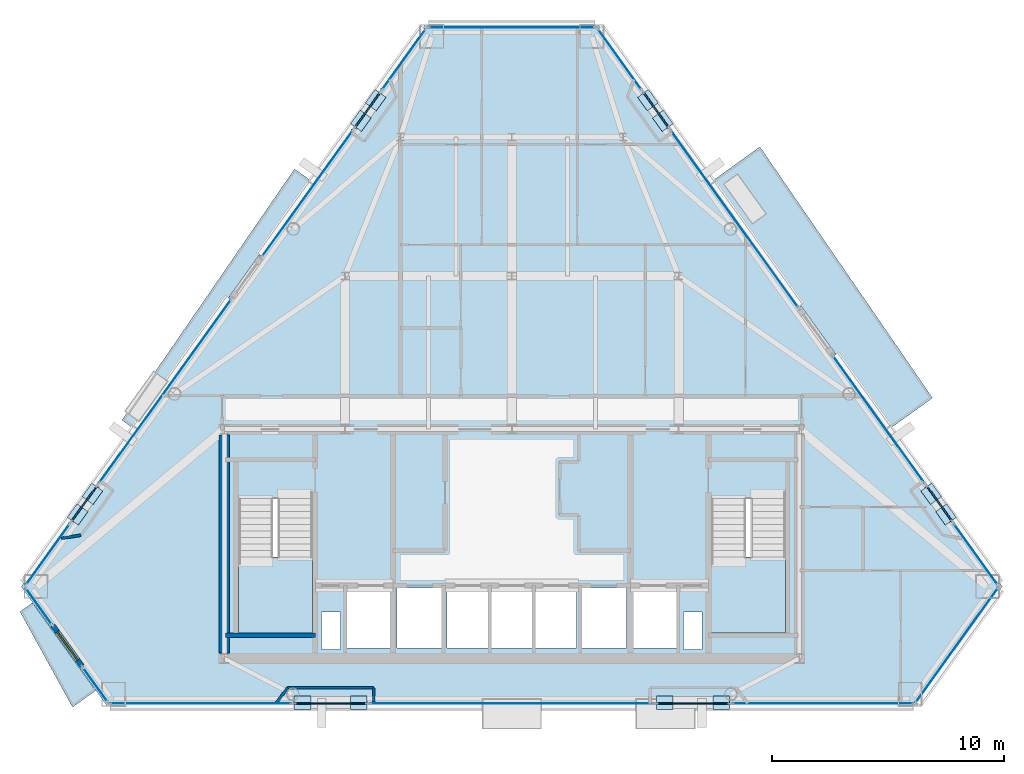
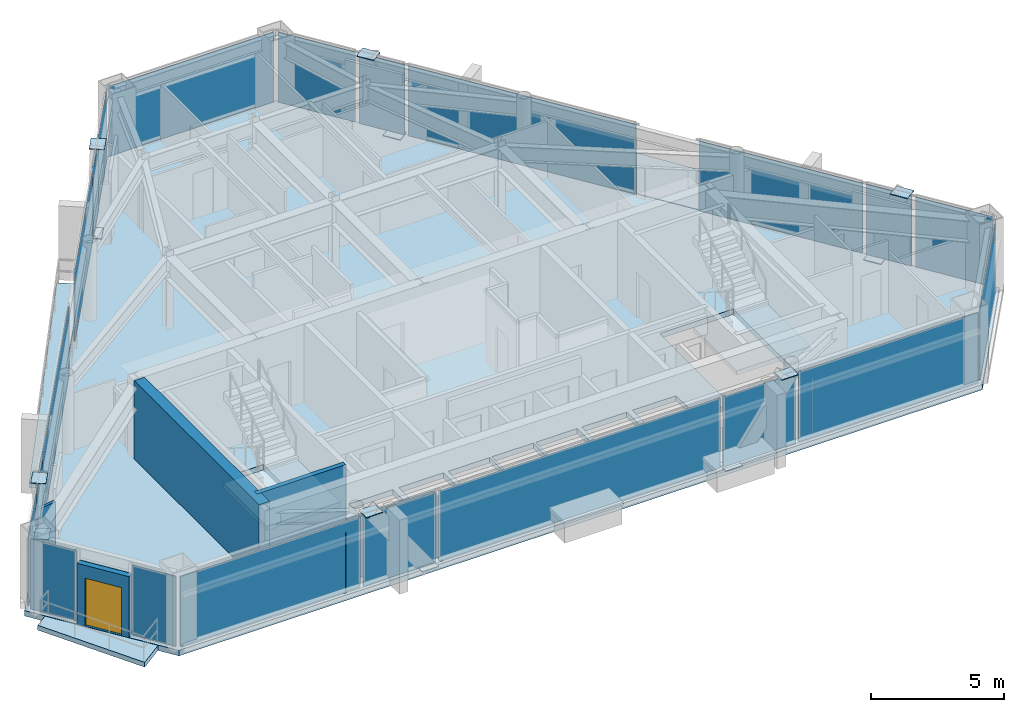
# One storey, part 6 of 11: 33 plates, 7 walls, 6 slabs, 1 door, 1 opening, 23 elements without a shape of their own.
"""IFC4 building model written with IfcOpenShell, lengths in metres."""

from ifc_helpers import new_model, si_unit, direction, frame, frame_2d, origin, origin_2d, place, context, subcontext, project, spatial, polyline, rectangle, outline, extrude, source, transform, mapped, material, layer, layer_set, type_object, type_shapes, element, fill, aggregate, save


model = new_model("IFC4")

# Units and contexts
model_context = context("Model", 3, precision=1e-05, world=origin(), true_north=direction((0.0, 1.0)))
body_context = subcontext(model_context, "Body", "Model", "MODEL_VIEW")
ifc_project = project(units=[si_unit("LENGTHUNIT", "METRE"), si_unit("AREAUNIT", "SQUARE_METRE"), si_unit("VOLUMEUNIT", "CUBIC_METRE"), si_unit("PLANEANGLEUNIT", "RADIAN"), si_unit("MASSUNIT", "GRAM", prefix="KILO")], contexts=[model_context])

# Site, building, storey
site_placement = place(None, origin())
site = spatial("IfcSite", under=ifc_project, at=site_placement, CompositionType="ELEMENT")
building_placement = place(site_placement, origin())
building = spatial("IfcBuilding", under=site, at=building_placement, Name="Talgorran Terracotta Tower", CompositionType="ELEMENT")
storey_placement = place(building_placement, frame((0.0, 0.0, 196.5)))
storey = spatial("IfcBuildingStorey", under=building, at=storey_placement, Name="L51", CompositionType="ELEMENT", Elevation=196.5)

# Plates
ifc_material_1 = material(Name="Steel Grade 350 (350L0)", Category="steel")
ifc_layer_1 = layer(ifc_material_1, 0.031982421875, Name="PL_CAP_MN07")
ifc_layer_set_1 = layer_set([ifc_layer_1], Name="Steel Grade 350 (350L0)")
plate_type_1 = type_object("IfcPlateType", Name="PL_CAP_MN07", PredefinedType="USERDEFINED", material=ifc_layer_set_1)
for number, where, z_axis, x_axis, name in (
    (1, (-6.598388671875, -16.001220703125, -0.005859375), (0.0, 0.0, 1.0), (-1.0, 0.0, 0.0), "L51 Diagonal Frame End Cap SWF Bot"),
    (2, (-9.029296875, -16.001220703125, 3.32421875), (0.0, 0.0, 1.0), (-1.0, 0.0, 0.0), "L51 Diagonal Frame End Cap SWF Top"),
    (3, (6.598388671875, -16.001220703125, -0.005859375), (0.0, 0.0, 1.0), (1.0, 0.0, 0.0), "L51 Diagonal Frame End Cap SEF Bot"),
    (4, (9.029296875, -16.001220703125, 3.32421875), (0.0, 0.0, 1.0), (1.0, 0.0, 0.0), "L51 Diagonal Frame End Cap SEF Top"),
    (5, (18.0908203125, -6.992919921875, -0.005859375), (0.0, 0.0, 1.0), (0.583966337286, -0.811777874123, 0.0), "L51 Diagonal Frame End Cap NEL Bot"),
    (6, (18.73193359375, -7.884521484375, 3.32421875), (0.0, 0.0, 1.0), (0.583966337286, -0.811777874123, 0.0), "L51 Diagonal Frame End Cap NEL Top"),
    (7, (6.513427734375, 9.099609375, -0.005859375), (0.0, 0.0, 1.0), (-0.583966337286, 0.811777874123, 0.0), "L51 Diagonal Frame End Cap NEU Bot"),
    (8, (5.872314453125, 9.9912109375, 3.32421875), (0.0, 0.0, 1.0), (-0.583966337286, 0.811777874123, 0.0), "L51 Diagonal Frame End Cap NEU Top"),
    (9, (-6.513427734375, 9.099609375, -0.005859375), (0.0, 0.0, 1.0), (0.583966337286, 0.811777874123, 0.0), "L51 Diagonal Frame End Cap NWU Bot"),
    (10, (-5.872314453125, 9.9912109375, 3.32421875), (0.0, 0.0, 1.0), (0.583966337286, 0.811777874123, 0.0), "L51 Diagonal Frame End Cap NWU Top"),
    (11, (-18.0908203125, -6.992919921875, -0.005859375), (0.0, 0.0, 1.0), (-0.583966337286, -0.811777874123, 0.0), "L51 Diagonal Frame End Cap NWL Bot"),
    (12, (-18.73193359375, -7.884521484375, 3.32421875), (0.0, 0.0, 1.0), (-0.583966337286, -0.811777874123, 0.0), "L51 Diagonal Frame End Cap NWL Top"),
):
    element("IfcPlate", number, at=place(storey_placement, frame(where, z_axis=z_axis, x_axis=x_axis)), inside=storey, type_object=plate_type_1, Name=name, ObjectType="CAP PLATE", PredefinedType="USERDEFINED", context=body_context, shape_type="SweptSolid", body=[
        extrude(rectangle(XDim=0.719970703125, YDim=0.580078125, at=origin_2d()), origin(), (0.0, 0.0, 1.0), 0.031982421875),
    ])

# Slabs
ifc_material_2 = material(Name="Concrete C40/50", Category="concrete")
ifc_layer_2 = layer(ifc_material_2, 0.219970703125, Name="SL_BALCONY_220")
ifc_layer_set_2 = layer_set([ifc_layer_2], Name="Concrete C40/50")
slab_type_1 = type_object("IfcSlabType", Name="SL_BALCONY_220", PredefinedType="FLOOR", material=ifc_layer_set_2)
slab_1_placement = place(storey_placement, frame((0.0, 0.0, -0.219970703125)))
element("IfcSlab", 13, at=slab_1_placement, inside=storey, type_object=slab_type_1, Name="L51 Outdoor Wave Balcony BAL-NE", PredefinedType="FLOOR", context=body_context, shape_type="SweptSolid", body=[
    extrude(outline(polyline([(8.61572265625, 6.477294921875), (16.2919921875, -4.193115234375), (18.148681640625, -2.857421875), (10.7021484375, 7.978271484375), (8.61572265625, 6.477294921875)])), origin(), (0.0, 0.0, 1.0), 0.219970703125),
])
slab_2_placement = place(storey_placement, frame((0.0, 0.0, -0.219970703125)))
element("IfcSlab", 14, at=slab_2_placement, inside=storey, type_object=slab_type_1, Name="L51 Outdoor Wave Balcony BAL-NW", PredefinedType="FLOOR", context=body_context, shape_type="SweptSolid", body=[
    extrude(outline(polyline([(-16.2919921875, -4.193115234375), (-8.61572265625, 6.477294921875), (-9.372802734375, 7.02197265625), (-16.819580078125, -3.813720703125), (-16.2919921875, -4.193115234375)])), origin(), (0.0, 0.0, 1.0), 0.219970703125),
])
slab_3_placement = place(storey_placement, frame((0.0, 0.0, -0.219970703125)))
element("IfcSlab", 15, at=slab_3_placement, inside=storey, type_object=slab_type_1, Name="L51 Outdoor Wave Balcony BAL-SW", PredefinedType="FLOOR", context=body_context, shape_type="SweptSolid", body=[
    extrude(outline(polyline([(-17.954833984375, -15.47998046875), (-20.680419921875, -11.69091796875), (-21.217529296875, -12.077392578125), (-18.950927734375, -16.196533203125), (-17.954833984375, -15.47998046875)])), origin(), (0.0, 0.0, 1.0), 0.219970703125),
])

# Stair, slab
stair_type = type_object("IfcStairType", Name="ST_FIRE_SCISSOR", PredefinedType="HALF_TURN_STAIR", material=ifc_material_2)
stair_1_placement = place(storey_placement, origin())
stair_1 = element("IfcStair", 16, at=stair_1_placement, inside=storey, type_object=stair_type, Name="L51 West Protected Fire Stair ST-01", PredefinedType="HALF_TURN_STAIR")
ifc_layer_3 = layer(ifc_material_2, 0.199951171875, Name="SL_LANDING_200")
ifc_layer_set_3 = layer_set([ifc_layer_3], Name="Concrete C40/50")
slab_type_2 = type_object("IfcSlabType", Name="SL_LANDING_200", PredefinedType="LANDING", material=ifc_layer_set_3)
slab_4_placement = place(storey_placement, frame((0.0, 0.0, 1.60009765625)))
slab_4 = element("IfcSlab", 17, at=slab_4_placement, type_object=slab_type_2, Name="ST-01 landing 1", PredefinedType="LANDING", context=body_context, shape_type="SweptSolid", body=[
    extrude(outline(polyline([(-11.800048828125, -9.719970703125), (-11.800048828125, -13.0), (-8.60009765625, -13.0), (-8.60009765625, -9.719970703125), (-11.800048828125, -9.719970703125)])), origin(), (0.0, 0.0, 1.0), 0.199951171875),
])
aggregate(stair_1, [slab_4])

stair_2_placement = place(storey_placement, origin())
stair_2 = element("IfcStair", 18, at=stair_2_placement, inside=storey, type_object=stair_type, Name="L51 East Protected Fire Stair ST-02", PredefinedType="HALF_TURN_STAIR")
slab_5_placement = place(storey_placement, frame((0.0, 0.0, 1.60009765625)))
slab_5 = element("IfcSlab", 19, at=slab_5_placement, type_object=slab_type_2, Name="ST-02 landing 1", PredefinedType="LANDING", context=body_context, shape_type="SweptSolid", body=[
    extrude(outline(polyline([(8.60009765625, -9.719970703125), (8.60009765625, -13.0), (11.800048828125, -13.0), (11.800048828125, -9.719970703125), (8.60009765625, -9.719970703125)])), origin(), (0.0, 0.0, 1.0), 0.199951171875),
])
aggregate(stair_2, [slab_5])

# Slab
ifc_layer_4 = layer(ifc_material_2, 0.25, Name="SL_TOWER_250")
ifc_layer_set_4 = layer_set([ifc_layer_4], Name="Concrete C40/50")
slab_type_3 = type_object("IfcSlabType", Name="SL_TOWER_250", PredefinedType="FLOOR", material=ifc_layer_set_4)
slab_6_placement = place(storey_placement, frame((0.0, 0.0, -0.25)))
element("IfcSlab", 20, at=slab_6_placement, inside=storey, type_object=slab_type_3, Name="Storey L51 Structural Floor Slab", PredefinedType="FLOOR", context=body_context, shape_type="SweptSolid", body=[
    extrude(outline(polyline([(-21.164794921875, -10.9921875), (-17.4462890625, -16.1611328125), (17.4462890625, -16.1611328125), (21.164794921875, -10.9921875), (3.718505859375, 13.2587890625), (-3.718505859375, 13.2587890625), (-21.164794921875, -10.9921875)]), holes=[polyline([(-11.800048828125, -7.199951171875), (-11.800048828125, -13.0), (-8.60009765625, -13.0), (-8.60009765625, -7.199951171875), (-11.800048828125, -7.199951171875)]), polyline([(8.60009765625, -7.199951171875), (8.60009765625, -13.0), (11.800048828125, -13.0), (11.800048828125, -7.199951171875), (8.60009765625, -7.199951171875)]), polyline([(-7.10009765625, -13.64990234375), (-5.199951171875, -13.64990234375), (-5.199951171875, -11.050048828125), (-7.10009765625, -11.050048828125), (-7.10009765625, -13.64990234375)]), polyline([(5.199951171875, -13.64990234375), (7.10009765625, -13.64990234375), (7.10009765625, -11.050048828125), (5.199951171875, -11.050048828125), (5.199951171875, -13.64990234375)]), polyline([(3.0, -13.64990234375), (4.949951171875, -13.64990234375), (4.949951171875, -11.050048828125), (3.0, -11.050048828125), (3.0, -13.64990234375)]), polyline([(-4.949951171875, -13.64990234375), (-3.0, -13.64990234375), (-3.0, -11.050048828125), (-4.949951171875, -11.050048828125), (-4.949951171875, -13.64990234375)]), polyline([(-2.800048828125, -13.64990234375), (-1.0, -13.64990234375), (-1.0, -11.050048828125), (-2.800048828125, -11.050048828125), (-2.800048828125, -13.64990234375)]), polyline([(-0.89990234375, -13.64990234375), (0.89990234375, -13.64990234375), (0.89990234375, -11.050048828125), (-0.89990234375, -11.050048828125), (-0.89990234375, -13.64990234375)]), polyline([(1.0, -13.64990234375), (2.800048828125, -13.64990234375), (2.800048828125, -11.050048828125), (1.0, -11.050048828125), (1.0, -13.64990234375)]), polyline([(-8.199951171875, -13.699951171875), (-7.39990234375, -13.699951171875), (-7.39990234375, -12.10009765625), (-8.199951171875, -12.10009765625), (-8.199951171875, -13.699951171875)]), polyline([(7.39990234375, -13.699951171875), (8.199951171875, -13.699951171875), (8.199951171875, -12.10009765625), (7.39990234375, -12.10009765625), (7.39990234375, -13.699951171875)])]), origin(), (0.0, 0.0, 1.0), 0.25),
])

# Curtain wall, plate
ifc_material_3 = material(Name="High-Wind Unitised Glazing", Category="glass")
ifc_layer_5 = layer(ifc_material_3, 0.2099609375, Name="CW_SYS3_RES_HIGH")
ifc_layer_set_5 = layer_set([ifc_layer_5], Name="High-Wind Unitised Glazing")
curtain_wall_type = type_object("IfcCurtainWallType", Name="CW_SYS3_RES_HIGH", PredefinedType="NOTDEFINED", material=ifc_layer_set_5)
curtain_wall_1_placement = place(storey_placement, origin())
curtain_wall_1 = element("IfcCurtainWall", 21, at=curtain_wall_1_placement, inside=storey, type_object=curtain_wall_type, Name="CW-L51-F2", PredefinedType="NOTDEFINED")
ifc_material_4 = material(Name="High-Wind Acoustic Vision Glass", Category="glass")
ifc_layer_6 = layer(ifc_material_4, 0.031982421875, Name="PLT_VISION_32")
ifc_layer_set_6 = layer_set([ifc_layer_6], Name="High-Wind Acoustic Vision Glass")
plate_type_2 = type_object("IfcPlateType", Name="PLT_VISION_32", PredefinedType="CURTAIN_PANEL", material=ifc_layer_set_6)
shared_shape_1 = source(origin(), body_context, "Body", "SweptSolid", [
    extrude(rectangle(XDim=6.079833984375, YDim=0.031982421875, at=origin_2d()), origin(), (0.0, 0.0, 1.0), 3.2099609375),
])
plate_1_placement = place(storey_placement, frame((19.20068359375, -13.5166015625, 0.070068359375), z_axis=(0.0, 0.0, 1.0), x_axis=(0.583978547982, 0.811769090011, 0.0)))
plate_1 = element("IfcPlate", 22, at=plate_1_placement, type_object=plate_type_2, Name="CW-L51-2 panel 1.1", PredefinedType="CURTAIN_PANEL", context=body_context, shape_type="MappedRepresentation", body=[
    mapped(shared_shape_1, transform((0.0, 0.0, 0.0), scale=1.0)),
])
aggregate(curtain_wall_1, [plate_1])

curtain_wall_2_placement = place(storey_placement, origin())
curtain_wall_2 = element("IfcCurtainWall", 23, at=curtain_wall_2_placement, inside=storey, type_object=curtain_wall_type, Name="CW-L51-F4", PredefinedType="NOTDEFINED")
shared_shape_2 = source(origin(), body_context, "Body", "SweptSolid", [
    extrude(rectangle(XDim=7.17431640625, YDim=0.031982421875, at=origin_2d()), origin(), (0.0, 0.0, 1.0), 3.2099609375),
])
plate_2_placement = place(storey_placement, frame((0.0, 13.138916015625, 0.070068359375), z_axis=(0.0, 0.0, 1.0), x_axis=(-1.0, 0.0, 0.0)))
plate_2 = element("IfcPlate", 24, at=plate_2_placement, type_object=plate_type_2, Name="CW-L51-4 panel 1.1", PredefinedType="CURTAIN_PANEL", context=body_context, shape_type="MappedRepresentation", body=[
    mapped(shared_shape_2, transform((0.0, 0.0, 0.0), scale=1.0)),
])
aggregate(curtain_wall_2, [plate_2])

curtain_wall_3_placement = place(storey_placement, origin())
curtain_wall_3 = element("IfcCurtainWall", 25, at=curtain_wall_3_placement, inside=storey, type_object=curtain_wall_type, Name="CW-L51-F11", PredefinedType="NOTDEFINED")
shared_shape_3 = source(origin(), body_context, "Body", "SweptSolid", [
    extrude(rectangle(XDim=1.802490234375, YDim=0.031982421875, at=origin_2d()), origin(), (0.0, 0.0, 1.0), 3.2099609375),
])
plate_3_placement = place(storey_placement, frame((-17.975341796875, -15.22021484375, 0.070068359375), z_axis=(0.0, 0.0, 1.0), x_axis=(0.583976493387, -0.811770568062, 0.0)))
plate_3 = element("IfcPlate", 26, at=plate_3_placement, type_object=plate_type_2, Name="CW-L51-11 panel 1.1", PredefinedType="CURTAIN_PANEL", context=body_context, shape_type="MappedRepresentation", body=[
    mapped(shared_shape_3, transform((0.0, 0.0, 0.0), scale=1.0)),
])
aggregate(curtain_wall_3, [plate_3])

curtain_wall_4_placement = place(storey_placement, origin())
curtain_wall_4 = element("IfcCurtainWall", 27, at=curtain_wall_4_placement, inside=storey, type_object=curtain_wall_type, Name="CW-L51-F10", PredefinedType="NOTDEFINED")
shared_shape_4 = source(origin(), body_context, "Body", "SweptSolid", [
    extrude(rectangle(XDim=1.897216796875, YDim=0.031982421875, at=origin_2d()), origin(), (0.0, 0.0, 1.0), 3.2099609375),
])
plate_4_placement = place(storey_placement, frame((-20.398681640625, -11.8515625, 0.070068359375), z_axis=(0.0, 0.0, 1.0), x_axis=(0.583960689475, -0.811781936944, 0.0)))
plate_4 = element("IfcPlate", 28, at=plate_4_placement, type_object=plate_type_2, Name="CW-L51-10 panel 1.1", PredefinedType="CURTAIN_PANEL", context=body_context, shape_type="MappedRepresentation", body=[
    mapped(shared_shape_4, transform((0.0, 0.0, 0.0), scale=1.0)),
])
aggregate(curtain_wall_4, [plate_4])

curtain_wall_5_placement = place(storey_placement, origin())
curtain_wall_5 = element("IfcCurtainWall", 29, at=curtain_wall_5_placement, inside=storey, type_object=curtain_wall_type, Name="CW-L51-F40B", PredefinedType="NOTDEFINED")
ifc_material_5 = material(Name="Terracotta Insulated Spandrel", Category="masonry")
ifc_layer_7 = layer(ifc_material_5, 0.06494140625, Name="PLT_SPANDREL_TERRA")
ifc_layer_set_7 = layer_set([ifc_layer_7], Name="Terracotta Insulated Spandrel")
plate_type_3 = type_object("IfcPlateType", Name="PLT_SPANDREL_TERRA", PredefinedType="SHEET", material=ifc_layer_set_7)
shared_shape_5 = source(origin(), body_context, "Body", "SweptSolid", [
    extrude(rectangle(XDim=1.876220703125, YDim=0.06494140625, at=origin_2d()), origin(), (0.0, 0.0, 1.0), 3.2099609375),
])
plate_5_placement = place(storey_placement, frame((18.44384765625, -7.415283203125, 0.070068359375), z_axis=(0.0, 0.0, 1.0), x_axis=(-0.583970188323, 0.8117751038, 0.0)))
plate_5 = element("IfcPlate", 30, at=plate_5_placement, type_object=plate_type_3, Name="CW-L51-40B panel 1.1", PredefinedType="CURTAIN_PANEL", context=body_context, shape_type="MappedRepresentation", body=[
    mapped(shared_shape_5, transform((0.0, 0.0, 0.0), scale=1.0)),
])
aggregate(curtain_wall_5, [plate_5])

curtain_wall_6_placement = place(storey_placement, origin())
curtain_wall_6 = element("IfcCurtainWall", 31, at=curtain_wall_6_placement, inside=storey, type_object=curtain_wall_type, Name="CW-L51-F41B", PredefinedType="NOTDEFINED")
plate_6_placement = place(storey_placement, frame((6.225341796875, 9.56884765625, 0.070068359375), z_axis=(0.0, 0.0, 1.0), x_axis=(-0.583993701211, 0.811758188715, 0.0)))
plate_6 = element("IfcPlate", 32, at=plate_6_placement, type_object=plate_type_3, Name="CW-L51-41B panel 1.1", PredefinedType="CURTAIN_PANEL", context=body_context, shape_type="MappedRepresentation", body=[
    mapped(shared_shape_5, transform((0.0, 0.0, 0.0), scale=1.0)),
])
aggregate(curtain_wall_6, [plate_6])

curtain_wall_7_placement = place(storey_placement, origin())
curtain_wall_7 = element("IfcCurtainWall", 33, at=curtain_wall_7_placement, inside=storey, type_object=curtain_wall_type, Name="CW-L51-F60B", PredefinedType="NOTDEFINED")
plate_7_placement = place(storey_placement, frame((-6.225341796875, 9.56884765625, 0.070068359375), z_axis=(0.0, 0.0, 1.0), x_axis=(-0.583993701211, -0.811758188715, 0.0)))
plate_7 = element("IfcPlate", 34, at=plate_7_placement, type_object=plate_type_3, Name="CW-L51-60B panel 1.1", PredefinedType="CURTAIN_PANEL", context=body_context, shape_type="MappedRepresentation", body=[
    mapped(shared_shape_5, transform((0.0, 0.0, 0.0), scale=1.0)),
])
aggregate(curtain_wall_7, [plate_7])

curtain_wall_8_placement = place(storey_placement, origin())
curtain_wall_8 = element("IfcCurtainWall", 35, at=curtain_wall_8_placement, inside=storey, type_object=curtain_wall_type, Name="CW-L51-F61B", PredefinedType="NOTDEFINED")
plate_8_placement = place(storey_placement, frame((-18.44384765625, -7.415283203125, 0.070068359375), z_axis=(0.0, 0.0, 1.0), x_axis=(-0.583970188323, -0.8117751038, 0.0)))
plate_8 = element("IfcPlate", 36, at=plate_8_placement, type_object=plate_type_3, Name="CW-L51-61B panel 1.1", PredefinedType="CURTAIN_PANEL", context=body_context, shape_type="MappedRepresentation", body=[
    mapped(shared_shape_5, transform((0.0, 0.0, 0.0), scale=1.0)),
])
aggregate(curtain_wall_8, [plate_8])

curtain_wall_9_placement = place(storey_placement, origin())
curtain_wall_9 = element("IfcCurtainWall", 37, at=curtain_wall_9_placement, inside=storey, type_object=curtain_wall_type, Name="CW-L51-F1", PredefinedType="NOTDEFINED")
shared_shape_6 = source(origin(), body_context, "Body", "SweptSolid", [
    extrude(rectangle(XDim=7.7919921875, YDim=0.031982421875, at=origin_2d()), origin(), (0.0, 0.0, 1.0), 3.2099609375),
])
plate_9_placement = place(storey_placement, frame((-13.418701171875, -16.041015625, 0.070068359375), z_axis=(0.0, 0.0, 1.0), x_axis=(1.0, 0.0, 0.0)))
plate_9 = element("IfcPlate", 38, at=plate_9_placement, type_object=plate_type_2, Name="CW-L51-1 panel 1.1", PredefinedType="CURTAIN_PANEL", context=body_context, shape_type="MappedRepresentation", body=[
    mapped(shared_shape_6, transform((0.0, 0.0, 0.0), scale=1.0)),
])
aggregate(curtain_wall_9, [plate_9])

curtain_wall_10_placement = place(storey_placement, origin())
curtain_wall_10 = element("IfcCurtainWall", 39, at=curtain_wall_10_placement, inside=storey, type_object=curtain_wall_type, Name="CW-L51-F1E", PredefinedType="NOTDEFINED")
plate_10_placement = place(storey_placement, frame((13.418701171875, -16.041015625, 0.070068359375), z_axis=(0.0, 0.0, 1.0), x_axis=(1.0, 0.0, 0.0)))
plate_10 = element("IfcPlate", 40, at=plate_10_placement, type_object=plate_type_2, Name="CW-L51-1E panel 1.1", PredefinedType="CURTAIN_PANEL", context=body_context, shape_type="MappedRepresentation", body=[
    mapped(shared_shape_6, transform((0.0, 0.0, 0.0), scale=1.0)),
])
aggregate(curtain_wall_10, [plate_10])

curtain_wall_11_placement = place(storey_placement, origin())
curtain_wall_11 = element("IfcCurtainWall", 41, at=curtain_wall_11_placement, inside=storey, type_object=curtain_wall_type, Name="CW-L51-F1B", PredefinedType="NOTDEFINED")
shared_shape_7 = source(origin(), body_context, "Body", "SweptSolid", [
    extrude(rectangle(XDim=3.117919921875, YDim=0.06494140625, at=origin_2d()), origin(), (0.0, 0.0, 1.0), 3.2099609375),
])
type_shapes(plate_type_3, [shared_shape_5, shared_shape_7])
plate_11_placement = place(storey_placement, frame((-7.81396484375, -16.041015625, 0.070068359375), z_axis=(0.0, 0.0, 1.0), x_axis=(1.0, 0.0, 0.0)))
plate_11 = element("IfcPlate", 42, at=plate_11_placement, type_object=plate_type_3, Name="CW-L51-1B panel 1.1", PredefinedType="CURTAIN_PANEL", context=body_context, shape_type="MappedRepresentation", body=[
    mapped(shared_shape_7, transform((0.0, 0.0, 0.0), scale=1.0)),
])
aggregate(curtain_wall_11, [plate_11])

curtain_wall_12_placement = place(storey_placement, origin())
curtain_wall_12 = element("IfcCurtainWall", 43, at=curtain_wall_12_placement, inside=storey, type_object=curtain_wall_type, Name="CW-L51-F1D", PredefinedType="NOTDEFINED")
plate_12_placement = place(storey_placement, frame((7.81396484375, -16.041015625, 0.070068359375), z_axis=(0.0, 0.0, 1.0), x_axis=(1.0, 0.0, 0.0)))
plate_12 = element("IfcPlate", 44, at=plate_12_placement, type_object=plate_type_3, Name="CW-L51-1D panel 1.1", PredefinedType="CURTAIN_PANEL", context=body_context, shape_type="MappedRepresentation", body=[
    mapped(shared_shape_7, transform((0.0, 0.0, 0.0), scale=1.0)),
])
aggregate(curtain_wall_12, [plate_12])

curtain_wall_13_placement = place(storey_placement, origin())
curtain_wall_13 = element("IfcCurtainWall", 45, at=curtain_wall_13_placement, inside=storey, type_object=curtain_wall_type, Name="CW-L51-F1C", PredefinedType="NOTDEFINED")
shared_shape_8 = source(origin(), body_context, "Body", "SweptSolid", [
    extrude(rectangle(XDim=12.2099609375, YDim=0.031982421875, at=origin_2d()), origin(), (0.0, 0.0, 1.0), 3.2099609375),
])
plate_13_placement = place(storey_placement, frame((0.0, -16.041015625, 0.070068359375), z_axis=(0.0, 0.0, 1.0), x_axis=(1.0, 0.0, 0.0)))
plate_13 = element("IfcPlate", 46, at=plate_13_placement, type_object=plate_type_2, Name="CW-L51-1C panel 1.1", PredefinedType="CURTAIN_PANEL", context=body_context, shape_type="MappedRepresentation", body=[
    mapped(shared_shape_8, transform((0.0, 0.0, 0.0), scale=1.0)),
])
aggregate(curtain_wall_13, [plate_13])

curtain_wall_14_placement = place(storey_placement, origin())
curtain_wall_14 = element("IfcCurtainWall", 47, at=curtain_wall_14_placement, inside=storey, type_object=curtain_wall_type, Name="CW-L51-F40", PredefinedType="NOTDEFINED")
shared_shape_9 = source(origin(), body_context, "Body", "SweptSolid", [
    extrude(rectangle(XDim=3.2080078125, YDim=0.031982421875, at=origin_2d()), origin(), (0.0, 0.0, 1.0), 3.2099609375),
])
plate_14_placement = place(storey_placement, frame((20.015869140625, -9.6005859375, 0.070068359375), z_axis=(0.0, 0.0, 1.0), x_axis=(-0.583986798244, 0.811763154791, 0.0)))
plate_14 = element("IfcPlate", 48, at=plate_14_placement, type_object=plate_type_2, Name="CW-L51-40 panel 1.1", PredefinedType="CURTAIN_PANEL", context=body_context, shape_type="MappedRepresentation", body=[
    mapped(shared_shape_9, transform((0.0, 0.0, 0.0), scale=1.0)),
])
aggregate(curtain_wall_14, [plate_14])

curtain_wall_15_placement = place(storey_placement, origin())
curtain_wall_15 = element("IfcCurtainWall", 49, at=curtain_wall_15_placement, inside=storey, type_object=curtain_wall_type, Name="CW-L51-F61C", PredefinedType="NOTDEFINED")
plate_15_placement = place(storey_placement, frame((-20.015869140625, -9.6005859375, 0.070068359375), z_axis=(0.0, 0.0, 1.0), x_axis=(-0.583986798244, -0.811763154791, 0.0)))
plate_15 = element("IfcPlate", 50, at=plate_15_placement, type_object=plate_type_2, Name="CW-L51-61C panel 1.1", PredefinedType="CURTAIN_PANEL", context=body_context, shape_type="MappedRepresentation", body=[
    mapped(shared_shape_9, transform((0.0, 0.0, 0.0), scale=1.0)),
])
aggregate(curtain_wall_15, [plate_15])

curtain_wall_16_placement = place(storey_placement, origin())
curtain_wall_16 = element("IfcCurtainWall", 51, at=curtain_wall_16_placement, inside=storey, type_object=curtain_wall_type, Name="CW-L51-F40C", PredefinedType="NOTDEFINED")
shared_shape_10 = source(origin(), body_context, "Body", "SweptSolid", [
    extrude(rectangle(XDim=6.7509765625, YDim=0.031982421875, at=origin_2d()), origin(), (0.0, 0.0, 1.0), 3.2099609375),
])
plate_16_placement = place(storey_placement, frame((15.837158203125, -3.7919921875, 0.070068359375), z_axis=(0.0, 0.0, 1.0), x_axis=(-0.583985848226, 0.811763838238, 0.0)))
plate_16 = element("IfcPlate", 52, at=plate_16_placement, type_object=plate_type_2, Name="CW-L51-40C panel 1.1", PredefinedType="CURTAIN_PANEL", context=body_context, shape_type="MappedRepresentation", body=[
    mapped(shared_shape_10, transform((0.0, 0.0, 0.0), scale=1.0)),
])
aggregate(curtain_wall_16, [plate_16])

curtain_wall_17_placement = place(storey_placement, origin())
curtain_wall_17 = element("IfcCurtainWall", 53, at=curtain_wall_17_placement, inside=storey, type_object=curtain_wall_type, Name="CW-L51-F41", PredefinedType="NOTDEFINED")
shared_shape_11 = source(origin(), body_context, "Body", "SweptSolid", [
    extrude(rectangle(XDim=9.395263671875, YDim=0.031982421875, at=origin_2d()), origin(), (0.0, 0.0, 1.0), 3.2099609375),
])
plate_17_placement = place(storey_placement, frame((9.604248046875, 4.8720703125, 0.070068359375), z_axis=(0.0, 0.0, 1.0), x_axis=(-0.583987795511, 0.811762437351, 0.0)))
plate_17 = element("IfcPlate", 54, at=plate_17_placement, type_object=plate_type_2, Name="CW-L51-41 panel 1.1", PredefinedType="CURTAIN_PANEL", context=body_context, shape_type="MappedRepresentation", body=[
    mapped(shared_shape_11, transform((0.0, 0.0, 0.0), scale=1.0)),
])
aggregate(curtain_wall_17, [plate_17])

curtain_wall_18_placement = place(storey_placement, origin())
curtain_wall_18 = element("IfcCurtainWall", 55, at=curtain_wall_18_placement, inside=storey, type_object=curtain_wall_type, Name="CW-L51-F41C", PredefinedType="NOTDEFINED")
shared_shape_12 = source(origin(), body_context, "Body", "SweptSolid", [
    extrude(rectangle(XDim=3.19970703125, YDim=0.031982421875, at=origin_2d()), origin(), (0.0, 0.0, 1.0), 3.2099609375),
])
plate_18_placement = place(storey_placement, frame((4.65576171875, 11.750732421875, 0.070068359375), z_axis=(0.0, 0.0, 1.0), x_axis=(-0.58399074755, 0.811760313624, 0.0)))
plate_18 = element("IfcPlate", 56, at=plate_18_placement, type_object=plate_type_2, Name="CW-L51-41C panel 1.1", PredefinedType="CURTAIN_PANEL", context=body_context, shape_type="MappedRepresentation", body=[
    mapped(shared_shape_12, transform((0.0, 0.0, 0.0), scale=1.0)),
])
aggregate(curtain_wall_18, [plate_18])

curtain_wall_19_placement = place(storey_placement, origin())
curtain_wall_19 = element("IfcCurtainWall", 57, at=curtain_wall_19_placement, inside=storey, type_object=curtain_wall_type, Name="CW-L51-F60", PredefinedType="NOTDEFINED")
plate_19_placement = place(storey_placement, frame((-4.65576171875, 11.750732421875, 0.070068359375), z_axis=(0.0, 0.0, 1.0), x_axis=(-0.58399074755, -0.811760313624, 0.0)))
plate_19 = element("IfcPlate", 58, at=plate_19_placement, type_object=plate_type_2, Name="CW-L51-60 panel 1.1", PredefinedType="CURTAIN_PANEL", context=body_context, shape_type="MappedRepresentation", body=[
    mapped(shared_shape_12, transform((0.0, 0.0, 0.0), scale=1.0)),
])
aggregate(curtain_wall_19, [plate_19])

curtain_wall_20_placement = place(storey_placement, origin())
curtain_wall_20 = element("IfcCurtainWall", 59, at=curtain_wall_20_placement, inside=storey, type_object=curtain_wall_type, Name="CW-L51-F60C", PredefinedType="NOTDEFINED")
shared_shape_13 = source(origin(), body_context, "Body", "SweptSolid", [
    extrude(rectangle(XDim=6.687744140625, YDim=0.031982421875, at=origin_2d()), origin(), (0.0, 0.0, 1.0), 3.2099609375),
])
plate_20_placement = place(storey_placement, frame((-8.8134765625, 5.97119140625, 0.070068359375), z_axis=(0.0, 0.0, 1.0), x_axis=(-0.583993313182, -0.81175846787, 0.0)))
plate_20 = element("IfcPlate", 60, at=plate_20_placement, type_object=plate_type_2, Name="CW-L51-60C panel 1.1", PredefinedType="CURTAIN_PANEL", context=body_context, shape_type="MappedRepresentation", body=[
    mapped(shared_shape_13, transform((0.0, 0.0, 0.0), scale=1.0)),
])
aggregate(curtain_wall_20, [plate_20])

curtain_wall_21_placement = place(storey_placement, origin())
curtain_wall_21 = element("IfcCurtainWall", 61, at=curtain_wall_21_placement, inside=storey, type_object=curtain_wall_type, Name="CW-L51-F61", PredefinedType="NOTDEFINED")
shared_shape_14 = source(origin(), body_context, "Body", "SweptSolid", [
    extrude(rectangle(XDim=9.758544921875, YDim=0.031982421875, at=origin_2d()), origin(), (0.0, 0.0, 1.0), 3.2099609375),
])
type_shapes(plate_type_2, [shared_shape_1, shared_shape_2, shared_shape_3, shared_shape_4, shared_shape_6, shared_shape_8, shared_shape_9, shared_shape_10, shared_shape_11, shared_shape_12, shared_shape_13, shared_shape_14])
plate_21_placement = place(storey_placement, frame((-14.958984375, -2.5712890625, 0.070068359375), z_axis=(0.0, 0.0, 1.0), x_axis=(-0.583979464611, -0.811768430596, 0.0)))
plate_21 = element("IfcPlate", 62, at=plate_21_placement, type_object=plate_type_2, Name="CW-L51-61 panel 1.1", PredefinedType="CURTAIN_PANEL", context=body_context, shape_type="MappedRepresentation", body=[
    mapped(shared_shape_14, transform((0.0, 0.0, 0.0), scale=1.0)),
])
aggregate(curtain_wall_21, [plate_21])

# Wall, opening, door
ifc_layer_8 = layer(ifc_material_2, 0.239990234375, Name="WT_BALCONY_SPAND")
ifc_layer_set_8 = layer_set([ifc_layer_8], Name="Concrete C40/50")
wall_type_1 = type_object("IfcWallType", Name="WT_BALCONY_SPAND", PredefinedType="STANDARD", material=ifc_layer_set_8)
wall_1_placement = place(storey_placement, frame((-19.798095703125, -12.686279296875, -0.014892578125), z_axis=(0.0, 0.0, 1.0), x_axis=(0.583965085393, -0.811778774693, 0.0)))
wall_1 = element("IfcWall", 63, at=wall_1_placement, inside=storey, type_object=wall_type_1, Name="WL-L51-BALP-BAL-SW", PredefinedType="STANDARD", context=body_context, shape_type="SweptSolid", body=[
    extrude(rectangle(XDim=2.14013671875, YDim=0.239990234375, at=frame_2d((1.070068359375, 0.0))), origin(), (0.0, 0.0, 1.0), 2.806884765625),
])
opening_placement = place(wall_1_placement, frame((0.320068359375, 0.0, 0.014892578125)))
opening = element("IfcOpeningElement", 64, at=opening_placement, cuts=wall_1, Name="Opening D-BAL-L51-3", PredefinedType="OPENING", context=body_context, shape_type="SweptSolid", body=[
    extrude(rectangle(XDim=1.506, YDim=2.203951171875, at=frame_2d((0.75, 1.10205078125))), frame((0.0, 0.1298828125, 0.0), z_axis=(0.0, -1.0, 0.0), x_axis=(1.0, 0.0, 0.0)), (0.0, 0.0, 1.0), 0.260009765625),
])
ifc_material_6 = material(Name="Thermally Broken Aluminium", Category="aluminium")
door_type = type_object("IfcDoorType", Name="DT_BALC_1500", OperationType="SLIDING_TO_RIGHT", PredefinedType="DOOR", material=ifc_material_6)
door_placement = place(opening_placement, origin())
door = element("IfcDoor", 65, at=door_placement, inside=storey, type_object=door_type, Name="DR-L51-BAL-BAL-SW", OperationType="SLIDING_TO_RIGHT", OverallHeight=2.199951171875, OverallWidth=1.5, PredefinedType="DOOR", context=body_context, shape_type="SweptSolid", body=[
    extrude(rectangle(XDim=1.5, YDim=2.199951171875, at=frame_2d((0.75, 1.10009765625))), frame((0.0, 0.02490234375, 0.0), z_axis=(0.0, -1.0, 0.0), x_axis=(1.0, 0.0, 0.0)), (0.0, 0.0, 1.0), 0.050048828125),
])
fill(opening, door)

# Walls
ifc_material_7 = material(Name="Concrete C50/60", Category="concrete")
ifc_layer_9 = layer(ifc_material_7, 0.199951171875, Name="WT_CORE_200")
ifc_layer_set_9 = layer_set([ifc_layer_9], Name="Concrete C50/60")
wall_type_2 = type_object("IfcWallType", Name="WT_CORE_200", PredefinedType="SOLIDWALL", material=ifc_layer_set_9)
wall_2_placement = place(storey_placement, frame((-12.35009765625, -13.10009765625, 0.0), z_axis=(0.0, 0.0, 1.0), x_axis=(1.0, 0.0, 0.0)))
element("IfcWall", 66, at=wall_2_placement, inside=storey, type_object=wall_type_2, Name="WL-L51-CW-ST1-S", PredefinedType="SOLIDWALL", context=body_context, shape_type="SweptSolid", body=[
    extrude(rectangle(XDim=3.8701171875, YDim=0.199951171875, at=frame_2d((1.93505859375, 0.0))), origin(), (0.0, 0.0, 1.0), 3.60009765625),
])
ifc_material_8 = material(Name="Concrete C65/80", Category="concrete")
ifc_layer_10 = layer(ifc_material_8, 0.449951171875, Name="WT_CORE_EXT")
ifc_layer_set_10 = layer_set([ifc_layer_10], Name="Concrete C65/80")
wall_type_3 = type_object("IfcWallType", Name="WT_CORE_EXT", PredefinedType="SHEAR", material=ifc_layer_set_10)
wall_3_placement = place(storey_placement, frame((-12.39990234375, -13.85009765625, 0.0), z_axis=(0.0, 0.0, 1.0), x_axis=(0.0, 1.0, 0.0)))
element("IfcWall", 67, at=wall_3_placement, inside=storey, type_object=wall_type_3, Name="WL-L51-CW-OUT-W", PredefinedType="SHEAR", context=body_context, shape_type="SweptSolid", body=[
    extrude(rectangle(XDim=9.400146484375, YDim=0.449951171875, at=frame_2d((4.7001953125, 0.0))), origin(), (0.0, 0.0, 1.0), 3.60009765625),
])
ifc_material_9 = material(Name="Insulated Steel Stud Plasterboard", Category="steel")
ifc_layer_11 = layer(ifc_material_9, 0.1201171875, Name="WT_PART_120")
ifc_layer_set_11 = layer_set([ifc_layer_11], Name="Insulated Steel Stud Plasterboard")
wall_type_4 = type_object("IfcWallType", Name="WT_PART_120", PredefinedType="PARTITIONING", material=ifc_layer_set_11)
wall_4_placement = place(storey_placement, frame((-9.66943359375, -15.361083984375, 0.0), z_axis=(0.0, 0.0, 1.0), x_axis=(1.0, 0.0, 0.0)))
element("IfcWall", 68, at=wall_4_placement, inside=storey, type_object=wall_type_4, Name="WL-L51-BW-L51-01", PredefinedType="PARTITIONING", context=body_context, shape_type="SweptSolid", body=[
    extrude(rectangle(XDim=3.7109375, YDim=0.1201171875, at=frame_2d((1.85546875, 0.0))), origin(), (0.0, 0.0, 1.0), 2.7919921875),
])
wall_5_placement = place(storey_placement, frame((-18.586181640625, -8.777587890625, 0.0), z_axis=(0.0, 0.0, 1.0), x_axis=(-0.98640168839, -0.164352393172, 0.0)))
element("IfcWall", 69, at=wall_5_placement, inside=storey, type_object=wall_type_4, Name="WL-L51-BW-L51-09", PredefinedType="PARTITIONING", context=body_context, shape_type="SweptSolid", body=[
    extrude(rectangle(XDim=0.849609375, YDim=0.1201171875, at=frame_2d((0.4248046875, 0.0))), origin(), (0.0, 0.0, 1.0), 2.7919921875),
])
wall_6_placement = place(storey_placement, frame((-10.17919921875, -16.031005859375, 0.0), z_axis=(0.0, 0.0, 1.0), x_axis=(0.605553776309, 0.795804388023, 0.0)))
element("IfcWall", 70, at=wall_6_placement, inside=storey, type_object=wall_type_4, Name="WL-L51-BW-L51-03", PredefinedType="PARTITIONING", context=body_context, shape_type="SweptSolid", body=[
    extrude(rectangle(XDim=0.841796875, YDim=0.1201171875, at=frame_2d((0.4208984375, 0.0))), origin(), (0.0, 0.0, 1.0), 2.7919921875),
])
wall_7_placement = place(storey_placement, frame((-5.95849609375, -15.361083984375, 0.0), z_axis=(0.0, 0.0, 1.0), x_axis=(0.0, -1.0, 0.0)))
element("IfcWall", 71, at=wall_7_placement, inside=storey, type_object=wall_type_4, Name="WL-L51-BW-L51-02", PredefinedType="PARTITIONING", context=body_context, shape_type="SweptSolid", body=[
    extrude(rectangle(XDim=0.669921875, YDim=0.1201171875, at=frame_2d((0.3349609375, 0.0))), origin(), (0.0, 0.0, 1.0), 2.7919921875),
])

save(model, "model.ifc")
